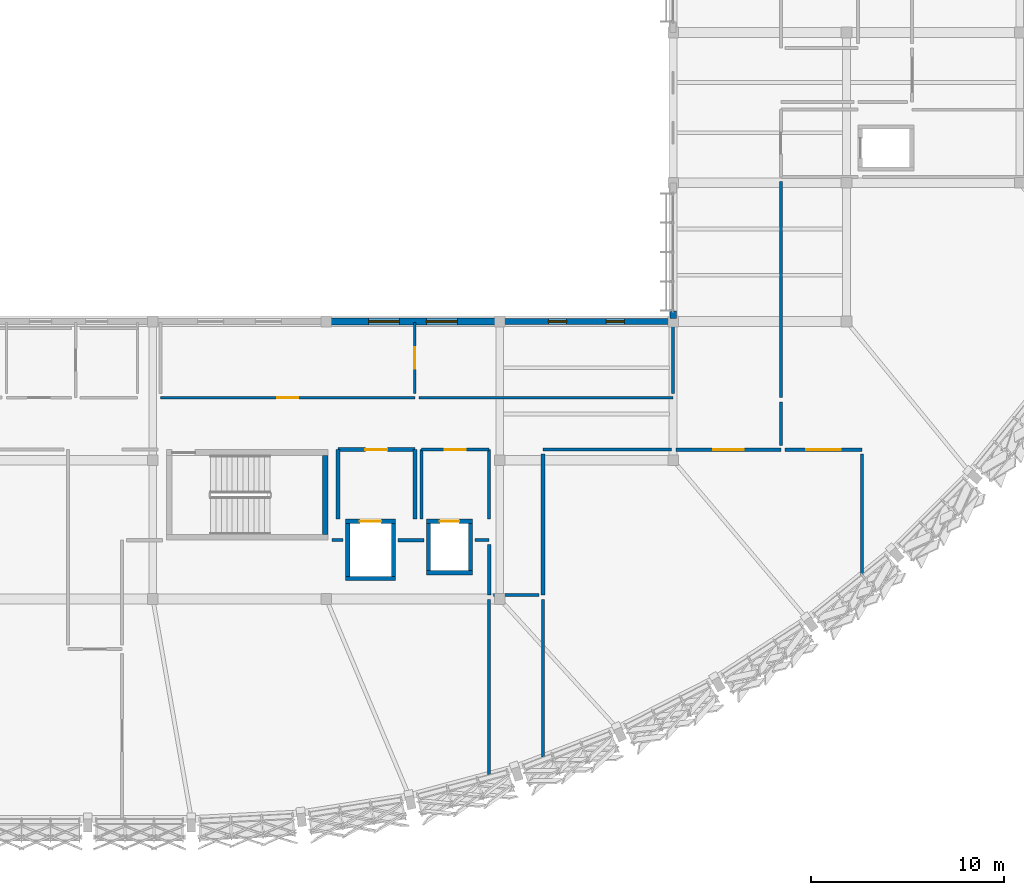
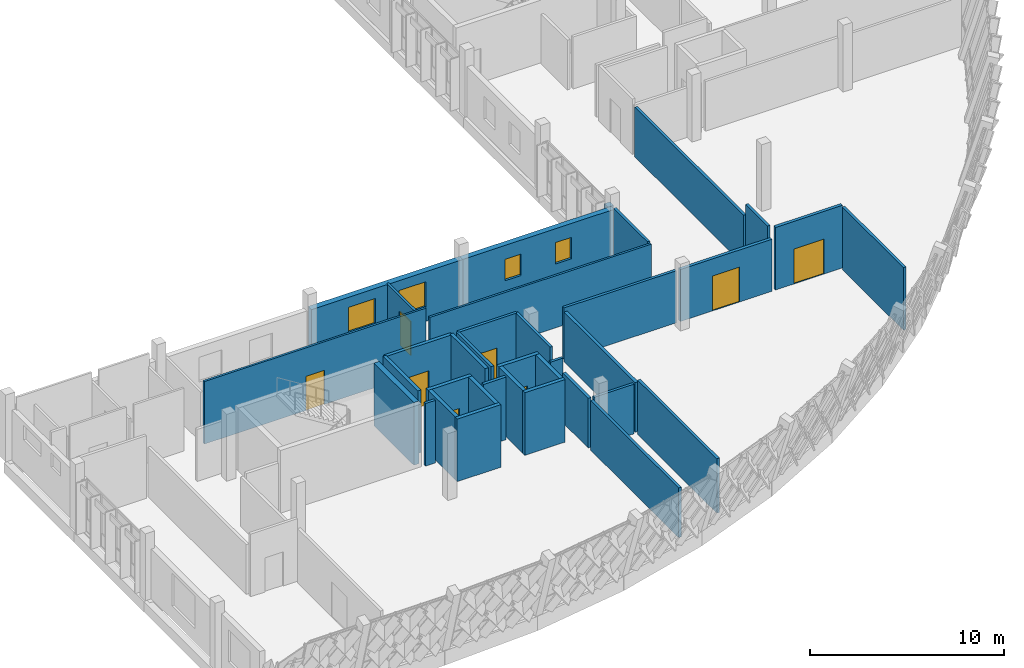
# One storey, part 87 of 94: 36 walls, 8 doors, 4 windows, 12 openings.
"""IFC4 building model written with IfcOpenShell, lengths in metres."""

from ifc_helpers import new_model, si_unit, direction, frame, frame_2d, origin, place, context, subcontext, project, spatial, rectangle, extrude, material, layer, layer_set, type_object, element, fill, save


model = new_model("IFC4")

# Units and contexts
model_context = context("Model", 3, precision=1e-05, world=origin(), true_north=direction((0.0, 1.0)))
body_context = subcontext(model_context, "Body", "Model", "MODEL_VIEW")
ifc_project = project(units=[si_unit("LENGTHUNIT", "METRE"), si_unit("AREAUNIT", "SQUARE_METRE"), si_unit("VOLUMEUNIT", "CUBIC_METRE"), si_unit("PLANEANGLEUNIT", "RADIAN"), si_unit("MASSUNIT", "GRAM", prefix="KILO")], contexts=[model_context])

# Site, building, storey
site_placement = place(None, origin())
site = spatial("IfcSite", under=ifc_project, at=site_placement, CompositionType="ELEMENT")
building_placement = place(site_placement, origin())
building = spatial("IfcBuilding", under=site, at=building_placement, Name="Chiffa Square Polytechnic", CompositionType="ELEMENT")
storey_placement = place(building_placement, frame((0.0, 0.0, 18.0)))
storey = spatial("IfcBuildingStorey", under=building, at=storey_placement, Name="L04", CompositionType="ELEMENT", Elevation=18.0)

# Wall
ifc_material_1 = material(Name="Concrete C40/50", Category="concrete")
ifc_layer_1 = layer(ifc_material_1, 0.300048828125, Name="Concrete C40/50")
ifc_layer_set_1 = layer_set([ifc_layer_1], Name="Concrete C40/50")
wall_type_1 = type_object("IfcWallType", Name="WL-CORE-300", PredefinedType="SHEAR", material=ifc_layer_set_1)
wall_1_placement = place(storey_placement, frame((130.14990234375, 17.75, 0.0), z_axis=(0.0, 0.0, 1.0), x_axis=(0.0, 1.0, 0.0)))
element("IfcWall", 1, at=wall_1_placement, inside=storey, type_object=wall_type_1, Name="Core or enclosure wall WC-CORE-V1A-L04-EAST", PredefinedType="SHEAR", context=body_context, shape_type="SweptSolid", body=[
    extrude(rectangle(XDim=4.10009765625, YDim=0.300048828125, at=frame_2d((2.050048828125, 0.0))), origin(), (0.0, 0.0, 1.0), 3.93994140625),
])

# Wall, openings, windows
ifc_material_2 = material(Name="Precast concrete C40/50", Category="concrete")
ifc_layer_2 = layer(ifc_material_2, 0.320068359375, Name="Precast concrete C40/50")
ifc_layer_set_2 = layer_set([ifc_layer_2], Name="Precast concrete C40/50")
wall_type_2 = type_object("IfcWallType", Name="WL-EXT-PC320", PredefinedType="SOLIDWALL", material=ifc_layer_set_2)
wall_2_placement = place(storey_placement, frame((148.199951171875, 28.800048828125, 0.0), z_axis=(0.0, 0.0, 1.0), x_axis=(-1.0, 0.0, 0.0)))
wall_2 = element("IfcWall", 2, at=wall_2_placement, inside=storey, type_object=wall_type_2, Name="Exterior wall WE-V1-L04-0064", PredefinedType="SOLIDWALL", context=body_context, shape_type="SweptSolid", body=[
    extrude(rectangle(XDim=9.0, YDim=0.320068359375, at=frame_2d((4.5, 0.0))), origin(), (0.0, 0.0, 1.0), 3.125),
])
opening_1_placement = place(wall_2_placement, frame((2.52490234375, 0.0, 0.89990234375)))
opening_1 = element("IfcOpeningElement", 3, at=opening_1_placement, cuts=wall_2, Name="Opening W-21", PredefinedType="OPENING", context=body_context, shape_type="SweptSolid", body=[
    extrude(rectangle(XDim=0.949951171875, YDim=1.35009765625, at=frame_2d((0.47509765625, 0.675048828125))), frame((0.0, 0.169921875, 0.0), z_axis=(0.0, -1.0, 0.0), x_axis=(1.0, 0.0, 0.0)), (0.0, 0.0, 1.0), 0.340087890625),
])
opening_2_placement = place(wall_2_placement, frame((5.52490234375, 0.0, 0.89990234375)))
opening_2 = element("IfcOpeningElement", 4, at=opening_2_placement, cuts=wall_2, Name="Opening W-21", PredefinedType="OPENING", context=body_context, shape_type="SweptSolid", body=[
    extrude(rectangle(XDim=0.949951171875, YDim=1.35009765625, at=frame_2d((0.47509765625, 0.675048828125))), frame((0.0, 0.169921875, 0.0), z_axis=(0.0, -1.0, 0.0), x_axis=(1.0, 0.0, 0.0)), (0.0, 0.0, 1.0), 0.340087890625),
])
ifc_material_3 = material(Name="Double glazing in thermally broken aluminium frame", Category="aluminium")
window_type_1 = type_object("IfcWindowType", Name="WIN-OFF-0950X1350", PartitioningType="DOUBLE_PANEL_VERTICAL", PredefinedType="WINDOW", material=ifc_material_3)
window_1_placement = place(opening_1_placement, origin())
window_1 = element("IfcWindow", 5, at=window_1_placement, inside=storey, type_object=window_type_1, Name="Facade window WN-L04-0062", OverallHeight=1.35009765625, OverallWidth=0.949951171875, PartitioningType="DOUBLE_PANEL_VERTICAL", PredefinedType="WINDOW", context=body_context, shape_type="SweptSolid", body=[
    extrude(rectangle(XDim=0.949951171875, YDim=1.35009765625, at=frame_2d((0.47509765625, 0.675048828125))), frame((0.0, 0.030029296875, 0.0), z_axis=(0.0, -1.0, 0.0), x_axis=(1.0, 0.0, 0.0)), (0.0, 0.0, 1.0), 0.06005859375),
])
fill(opening_1, window_1)
window_2_placement = place(opening_2_placement, origin())
window_2 = element("IfcWindow", 6, at=window_2_placement, inside=storey, type_object=window_type_1, Name="Facade window WN-L04-0063", OverallHeight=1.35009765625, OverallWidth=0.949951171875, PartitioningType="DOUBLE_PANEL_VERTICAL", PredefinedType="WINDOW", context=body_context, shape_type="SweptSolid", body=[
    extrude(rectangle(XDim=0.949951171875, YDim=1.35009765625, at=frame_2d((0.47509765625, 0.675048828125))), frame((0.0, 0.030029296875, 0.0), z_axis=(0.0, -1.0, 0.0), x_axis=(1.0, 0.0, 0.0)), (0.0, 0.0, 1.0), 0.06005859375),
])
fill(opening_2, window_2)

# Wall
ifc_layer_3 = layer(ifc_material_2, 0.340087890625, Name="Precast concrete C40/50")
ifc_layer_set_3 = layer_set([ifc_layer_3], Name="Precast concrete C40/50")
wall_type_3 = type_object("IfcWallType", Name="WL-EXT-PC340", PredefinedType="SOLIDWALL", material=ifc_layer_set_3)
wall_3_placement = place(storey_placement, frame((148.199951171875, 29.340087890625, 0.0), z_axis=(0.0, 0.0, 1.0), x_axis=(0.0, -1.0, 0.0)))
element("IfcWall", 7, at=wall_3_placement, inside=storey, type_object=wall_type_3, Name="Facade column pier V1-L04-0063R", PredefinedType="SOLIDWALL", context=body_context, shape_type="SweptSolid", body=[
    extrude(rectangle(XDim=0.378173828125, YDim=0.340087890625, at=frame_2d((0.18896484375, 0.0))), origin(), (0.0, 0.0, 1.0), 3.125),
])

# Wall, openings, windows
wall_4_placement = place(storey_placement, frame((139.199951171875, 28.800048828125, 0.0), z_axis=(0.0, 0.0, 1.0), x_axis=(-1.0, 0.0, 0.0)))
wall_4 = element("IfcWall", 8, at=wall_4_placement, inside=storey, type_object=wall_type_3, Name="Exterior wall WE-V1-L04-0065", PredefinedType="SOLIDWALL", context=body_context, shape_type="SweptSolid", body=[
    extrude(rectangle(XDim=9.0, YDim=0.340087890625, at=frame_2d((4.5, 0.0))), origin(), (0.0, 0.0, 1.0), 3.125),
])
opening_3_placement = place(wall_4_placement, frame((2.199951171875, 0.0, 0.89990234375)))
opening_3 = element("IfcOpeningElement", 9, at=opening_3_placement, cuts=wall_4, Name="Opening W-15", PredefinedType="OPENING", context=body_context, shape_type="SweptSolid", body=[
    extrude(rectangle(XDim=1.60009765625, YDim=1.60009765625, at=frame_2d((0.800048828125, 0.800048828125))), frame((0.0, 0.18017578125, 0.0), z_axis=(0.0, -1.0, 0.0), x_axis=(1.0, 0.0, 0.0)), (0.0, 0.0, 1.0), 0.360107421875),
])
opening_4_placement = place(wall_4_placement, frame((5.199951171875, 0.0, 0.89990234375)))
opening_4 = element("IfcOpeningElement", 10, at=opening_4_placement, cuts=wall_4, Name="Opening W-15", PredefinedType="OPENING", context=body_context, shape_type="SweptSolid", body=[
    extrude(rectangle(XDim=1.60009765625, YDim=1.60009765625, at=frame_2d((0.800048828125, 0.800048828125))), frame((0.0, 0.18017578125, 0.0), z_axis=(0.0, -1.0, 0.0), x_axis=(1.0, 0.0, 0.0)), (0.0, 0.0, 1.0), 0.360107421875),
])
window_type_2 = type_object("IfcWindowType", Name="WIN-OFF-1600X1600", PartitioningType="DOUBLE_PANEL_VERTICAL", PredefinedType="WINDOW", material=ifc_material_3)
window_3_placement = place(opening_3_placement, origin())
window_3 = element("IfcWindow", 11, at=window_3_placement, inside=storey, type_object=window_type_2, Name="Facade window WN-L04-0064", OverallHeight=1.60009765625, OverallWidth=1.60009765625, PartitioningType="DOUBLE_PANEL_VERTICAL", PredefinedType="WINDOW", context=body_context, shape_type="SweptSolid", body=[
    extrude(rectangle(XDim=1.60009765625, YDim=1.60009765625, at=frame_2d((0.800048828125, 0.800048828125))), frame((0.0, 0.030029296875, 0.0), z_axis=(0.0, -1.0, 0.0), x_axis=(1.0, 0.0, 0.0)), (0.0, 0.0, 1.0), 0.06005859375),
])
fill(opening_3, window_3)
window_4_placement = place(opening_4_placement, origin())
window_4 = element("IfcWindow", 12, at=window_4_placement, inside=storey, type_object=window_type_2, Name="Facade window WN-L04-0065", OverallHeight=1.60009765625, OverallWidth=1.60009765625, PartitioningType="DOUBLE_PANEL_VERTICAL", PredefinedType="WINDOW", context=body_context, shape_type="SweptSolid", body=[
    extrude(rectangle(XDim=1.60009765625, YDim=1.60009765625, at=frame_2d((0.800048828125, 0.800048828125))), frame((0.0, 0.030029296875, 0.0), z_axis=(0.0, -1.0, 0.0), x_axis=(1.0, 0.0, 0.0)), (0.0, 0.0, 1.0), 0.06005859375),
])
fill(opening_4, window_4)

# Wall, opening, door
ifc_material_4 = material(Name="Gypsum board on steel stud", Category="steel")
ifc_layer_4 = layer(ifc_material_4, 0.125, Name="Gypsum board on steel stud")
ifc_layer_set_4 = layer_set([ifc_layer_4], Name="Gypsum board on steel stud")
wall_type_4 = type_object("IfcWallType", Name="WL-PART-125", PredefinedType="PARTITIONING", material=ifc_layer_set_4)
wall_5_placement = place(storey_placement, frame((121.60009765625, 24.85009765625, 0.0), z_axis=(0.0, 0.0, 1.0), x_axis=(1.0, 0.0, 0.0)))
wall_5 = element("IfcWall", 13, at=wall_5_placement, inside=storey, type_object=wall_type_4, Name="Interior partition WP-V1-L04-0614", PredefinedType="PARTITIONING", context=body_context, shape_type="SweptSolid", body=[
    extrude(rectangle(XDim=13.199951171875, YDim=0.125, at=frame_2d((6.60009765625, 0.0))), origin(), (0.0, 0.0, 1.0), 3.93994140625),
])
opening_5_placement = place(wall_5_placement, frame((6.050048828125, 0.0, 0.0)))
opening_5 = element("IfcOpeningElement", 14, at=opening_5_placement, cuts=wall_5, Name="Opening DI-L04-218", PredefinedType="OPENING", context=body_context, shape_type="SweptSolid", body=[
    extrude(rectangle(XDim=1.10009765625, YDim=2.14990234375, at=frame_2d((0.550048828125, 1.074951171875))), frame((0.0, 0.072509765625, 0.0), z_axis=(0.0, -1.0, 0.0), x_axis=(1.0, 0.0, 0.0)), (0.0, 0.0, 1.0), 0.14501953125),
])
ifc_material_5 = material(Name="Solid core ash veneer door")
door_type_1 = type_object("IfcDoorType", Name="DR-INT-1100", OperationType="NOTDEFINED", PredefinedType="DOOR", material=ifc_material_5)
door_1_placement = place(opening_5_placement, origin())
door_1 = element("IfcDoor", 15, at=door_1_placement, inside=storey, type_object=door_type_1, Name="Interior room door DI-L04-218", OperationType="SINGLE_SWING_LEFT", OverallHeight=2.14990234375, OverallWidth=1.10009765625, PredefinedType="DOOR", context=body_context, shape_type="SweptSolid", body=[
    extrude(rectangle(XDim=1.10009765625, YDim=2.14990234375, at=frame_2d((0.550048828125, 1.074951171875))), frame((0.0, 0.02490234375, 0.0), z_axis=(0.0, -1.0, 0.0), x_axis=(1.0, 0.0, 0.0)), (0.0, 0.0, 1.0), 0.050048828125),
])
fill(opening_5, door_1)

# Wall
wall_6_placement = place(storey_placement, frame((135.02001953125, 24.85009765625, 0.0), z_axis=(0.0, 0.0, 1.0), x_axis=(1.0, 0.0, 0.0)))
element("IfcWall", 16, at=wall_6_placement, inside=storey, type_object=wall_type_4, Name="Interior partition WP-V1-L04-0617", PredefinedType="PARTITIONING", context=body_context, shape_type="SweptSolid", body=[
    extrude(rectangle(XDim=13.179931640625, YDim=0.125, at=frame_2d((6.58984375, 0.0))), origin(), (0.0, 0.0, 1.0), 3.27490234375),
])

# Wall, opening, door
ifc_layer_5 = layer(ifc_material_4, 0.135009765625, Name="Gypsum board on steel stud")
ifc_layer_set_5 = layer_set([ifc_layer_5], Name="Gypsum board on steel stud")
wall_type_5 = type_object("IfcWallType", Name="WL-PART-135", PredefinedType="PARTITIONING", material=ifc_layer_set_5)
wall_7_placement = place(storey_placement, frame((134.800048828125, 25.070068359375, 0.0), z_axis=(0.0, 0.0, 1.0), x_axis=(0.0, 1.0, 0.0)))
wall_7 = element("IfcWall", 17, at=wall_7_placement, inside=storey, type_object=wall_type_5, Name="Interior partition WP-V1-L04-0616", PredefinedType="PARTITIONING", context=body_context, shape_type="SweptSolid", body=[
    extrude(rectangle(XDim=3.675048828125, YDim=0.135009765625, at=frame_2d((1.83740234375, 0.0))), origin(), (0.0, 0.0, 1.0), 3.125),
])
opening_6_placement = place(wall_7_placement, frame((1.2880859375, 0.0, 0.0)))
opening_6 = element("IfcOpeningElement", 18, at=opening_6_placement, cuts=wall_7, Name="Opening DI-L04-219", PredefinedType="OPENING", context=body_context, shape_type="SweptSolid", body=[
    extrude(rectangle(XDim=1.10009765625, YDim=2.14990234375, at=frame_2d((0.550048828125, 1.074951171875))), frame((0.0, 0.07763671875, 0.0), z_axis=(0.0, -1.0, 0.0), x_axis=(1.0, 0.0, 0.0)), (0.0, 0.0, 1.0), 0.155029296875),
])
door_2_placement = place(opening_6_placement, origin())
door_2 = element("IfcDoor", 19, at=door_2_placement, inside=storey, type_object=door_type_1, Name="Interior room door DI-L04-219", OperationType="SINGLE_SWING_RIGHT", OverallHeight=2.14990234375, OverallWidth=1.10009765625, PredefinedType="DOOR", context=body_context, shape_type="SweptSolid", body=[
    extrude(rectangle(XDim=1.10009765625, YDim=2.14990234375, at=frame_2d((0.550048828125, 1.074951171875))), frame((0.0, 0.02490234375, 0.0), z_axis=(0.0, -1.0, 0.0), x_axis=(1.0, 0.0, 0.0)), (0.0, 0.0, 1.0), 0.050048828125),
])
fill(opening_6, door_2)

# Wall
ifc_layer_6 = layer(ifc_material_4, 0.14501953125, Name="Gypsum board on steel stud")
ifc_layer_set_6 = layer_set([ifc_layer_6], Name="Gypsum board on steel stud")
wall_type_6 = type_object("IfcWallType", Name="WL-PART-145", PredefinedType="PARTITIONING", material=ifc_layer_set_6)
wall_8_placement = place(storey_placement, frame((148.199951171875, 25.070068359375, 0.0), z_axis=(0.0, 0.0, 1.0), x_axis=(0.0, 1.0, 0.0)))
element("IfcWall", 20, at=wall_8_placement, inside=storey, type_object=wall_type_6, Name="Interior partition WP-V1-L04-0618", PredefinedType="PARTITIONING", context=body_context, shape_type="SweptSolid", body=[
    extrude(rectangle(XDim=3.489990234375, YDim=0.14501953125, at=frame_2d((1.7451171875, 0.0))), origin(), (0.0, 0.0, 1.0), 3.27490234375),
])

# Wall, opening, door
ifc_material_6 = material(Name="Autoclaved aerated concrete blockwork", Category="masonry")
ifc_layer_7 = layer(ifc_material_6, 0.199951171875, Name="Autoclaved aerated concrete blockwork")
ifc_layer_set_7 = layer_set([ifc_layer_7], Name="Autoclaved aerated concrete blockwork")
wall_type_7 = type_object("IfcWallType", Name="WL-PART-EI120-200", PredefinedType="PARTITIONING", material=ifc_layer_set_7)
wall_9_placement = place(storey_placement, frame((130.800048828125, 22.14990234375, 0.0), z_axis=(0.0, 0.0, 1.0), x_axis=(1.0, 0.0, 0.0)))
wall_9 = element("IfcWall", 21, at=wall_9_placement, inside=storey, type_object=wall_type_7, Name="Lift lobby rated enclosure WP-LOB-LF-V1-L04-NORTH", PredefinedType="PARTITIONING", context=body_context, shape_type="SweptSolid", body=[
    extrude(rectangle(XDim=4.0, YDim=0.199951171875, at=frame_2d((2.0, 0.0))), origin(), (0.0, 0.0, 1.0), 3.93994140625),
])
opening_7_placement = place(wall_9_placement, frame((1.425048828125, 0.0, 0.0)))
opening_7 = element("IfcOpeningElement", 22, at=opening_7_placement, cuts=wall_9, Name="Opening DI-L04-006", PredefinedType="OPENING", context=body_context, shape_type="SweptSolid", body=[
    extrude(rectangle(XDim=1.14990234375, YDim=2.14990234375, at=frame_2d((0.574951171875, 1.074951171875))), frame((0.0, 0.10986328125, 0.0), z_axis=(0.0, -1.0, 0.0), x_axis=(1.0, 0.0, 0.0)), (0.0, 0.0, 1.0), 0.219970703125),
])
ifc_material_7 = material(Name="Fire-rated steel door leaf", Category="steel")
door_type_2 = type_object("IfcDoorType", Name="DR-LOBBY-FD120", OperationType="NOTDEFINED", PredefinedType="DOOR", material=ifc_material_7)
door_3_placement = place(opening_7_placement, origin())
door_3 = element("IfcDoor", 23, at=door_3_placement, inside=storey, type_object=door_type_2, Name="Lift lobby fire door DI-L04-006", OperationType="SINGLE_SWING_LEFT", OverallHeight=2.14990234375, OverallWidth=1.14990234375, PredefinedType="DOOR", context=body_context, shape_type="SweptSolid", body=[
    extrude(rectangle(XDim=1.14990234375, YDim=2.14990234375, at=frame_2d((0.574951171875, 1.074951171875))), frame((0.0, 0.02490234375, 0.0), z_axis=(0.0, -1.0, 0.0), x_axis=(1.0, 0.0, 0.0)), (0.0, 0.0, 1.0), 0.050048828125),
])
fill(opening_7, door_3)

# Walls
for number, where, z_axis, x_axis, name in (
    (24, (130.800048828125, 18.550048828125, 0.0), (0.0, 0.0, 1.0), (0.0, 1.0, 0.0), "Lift lobby rated enclosure WP-LOB-LF-V1-L04-WEST"),
    (25, (134.800048828125, 18.550048828125, 0.0), (0.0, 0.0, 1.0), (0.0, 1.0, 0.0), "Lift lobby rated enclosure WP-LOB-LF-V1-L04-EAST"),
):
    element("IfcWall", number, at=place(storey_placement, frame(where, z_axis=z_axis, x_axis=x_axis)), inside=storey, type_object=wall_type_7, Name=name, PredefinedType="PARTITIONING", context=body_context, shape_type="SweptSolid", body=[
        extrude(rectangle(XDim=3.599853515625, YDim=0.199951171875, at=frame_2d((1.7998046875, 0.0))), origin(), (0.0, 0.0, 1.0), 3.93994140625),
    ])

# Wall, opening, door
ifc_material_8 = material(Name="Gypsum board on acoustic steel stud", Category="steel")
ifc_layer_8 = layer(ifc_material_8, 0.159912109375, Name="Gypsum board on acoustic steel stud")
ifc_layer_set_8 = layer_set([ifc_layer_8], Name="Gypsum board on acoustic steel stud")
wall_type_8 = type_object("IfcWallType", Name="WL-PART-EI60-160", PredefinedType="PARTITIONING", material=ifc_layer_set_8)
wall_10_placement = place(storey_placement, frame((135.14990234375, 22.14990234375, 0.0), z_axis=(0.0, 0.0, 1.0), x_axis=(1.0, 0.0, 0.0)))
wall_10 = element("IfcWall", 26, at=wall_10_placement, inside=storey, type_object=wall_type_8, Name="Lift lobby rated enclosure WP-LOB-LP-V1A-L04-NORTH", PredefinedType="PARTITIONING", context=body_context, shape_type="SweptSolid", body=[
    extrude(rectangle(XDim=3.5, YDim=0.159912109375, at=frame_2d((1.75, 0.0))), origin(), (0.0, 0.0, 1.0), 3.93994140625),
])
opening_8_placement = place(wall_10_placement, frame((1.199951171875, 0.0, 0.0)))
opening_8 = element("IfcOpeningElement", 27, at=opening_8_placement, cuts=wall_10, Name="Opening DI-L04-014", PredefinedType="OPENING", context=body_context, shape_type="SweptSolid", body=[
    extrude(rectangle(XDim=1.10009765625, YDim=2.14990234375, at=frame_2d((0.550048828125, 1.074951171875))), frame((0.0, 0.08984375, 0.0), z_axis=(0.0, -1.0, 0.0), x_axis=(1.0, 0.0, 0.0)), (0.0, 0.0, 1.0), 0.179931640625),
])
door_4_placement = place(opening_8_placement, origin())
door_4 = element("IfcDoor", 28, at=door_4_placement, inside=storey, type_object=door_type_1, Name="Lift lobby fire door DI-L04-014", OperationType="SINGLE_SWING_LEFT", OverallHeight=2.14990234375, OverallWidth=1.10009765625, PredefinedType="DOOR", context=body_context, shape_type="SweptSolid", body=[
    extrude(rectangle(XDim=1.10009765625, YDim=2.14990234375, at=frame_2d((0.550048828125, 1.074951171875))), frame((0.0, 0.02490234375, 0.0), z_axis=(0.0, -1.0, 0.0), x_axis=(1.0, 0.0, 0.0)), (0.0, 0.0, 1.0), 0.050048828125),
])
fill(opening_8, door_4)

# Walls
for number, where, z_axis, x_axis, name in (
    (29, (135.14990234375, 18.550048828125, 0.0), (0.0, 0.0, 1.0), (0.0, 1.0, 0.0), "Lift lobby rated enclosure WP-LOB-LP-V1A-L04-WEST"),
    (30, (138.64990234375, 18.550048828125, 0.0), (0.0, 0.0, 1.0), (0.0, 1.0, 0.0), "Lift lobby rated enclosure WP-LOB-LP-V1A-L04-EAST"),
):
    element("IfcWall", number, at=place(storey_placement, frame(where, z_axis=z_axis, x_axis=x_axis)), inside=storey, type_object=wall_type_8, Name=name, PredefinedType="PARTITIONING", context=body_context, shape_type="SweptSolid", body=[
        extrude(rectangle(XDim=3.599853515625, YDim=0.159912109375, at=frame_2d((1.7998046875, 0.0))), origin(), (0.0, 0.0, 1.0), 3.93994140625),
    ])
wall_11_placement = place(storey_placement, frame((141.449951171875, 22.14990234375, 0.0), z_axis=(0.0, 0.0, 1.0), x_axis=(1.0, 0.0, 0.0)))
element("IfcWall", 31, at=wall_11_placement, inside=storey, type_object=wall_type_8, Name="Interior partition WP-V1-L04-0635", PredefinedType="PARTITIONING", context=body_context, shape_type="SweptSolid", body=[
    extrude(rectangle(XDim=6.679931640625, YDim=0.159912109375, at=frame_2d((3.33984375, 0.0))), origin(), (0.0, 0.0, 1.0), 3.27490234375),
])
wall_12_placement = place(storey_placement, frame((141.449951171875, 6.201904296875, 0.0), z_axis=(0.0, 0.0, 1.0), x_axis=(0.0, 1.0, 0.0)))
element("IfcWall", 32, at=wall_12_placement, inside=storey, type_object=wall_type_8, Name="Interior partition WP-V1-L04-0637", PredefinedType="PARTITIONING", context=body_context, shape_type="SweptSolid", body=[
    extrude(rectangle(XDim=8.177978515625, YDim=0.159912109375, at=frame_2d((4.0888671875, 0.0))), origin(), (0.0, 0.0, 1.0), 3.425048828125),
])
wall_13_placement = place(storey_placement, frame((158.0, 15.64111328125, 0.0), z_axis=(0.0, 0.0, 1.0), x_axis=(0.0, 1.0, 0.0)))
element("IfcWall", 33, at=wall_13_placement, inside=storey, type_object=wall_type_8, Name="Interior partition WP-V1-L04-0639", PredefinedType="PARTITIONING", context=body_context, shape_type="SweptSolid", body=[
    extrude(rectangle(XDim=6.288818359375, YDim=0.159912109375, at=frame_2d((3.14453125, 0.0))), origin(), (0.0, 0.0, 1.0), 3.93994140625),
])
wall_14_placement = place(storey_placement, frame((153.800048828125, 24.85009765625, 0.0), z_axis=(0.0, 0.0, 1.0), x_axis=(0.0, 1.0, 0.0)))
element("IfcWall", 34, at=wall_14_placement, inside=storey, type_object=wall_type_8, Name="Interior partition WP-V1-L04-0640", PredefinedType="PARTITIONING", context=body_context, shape_type="SweptSolid", body=[
    extrude(rectangle(XDim=11.2099609375, YDim=0.159912109375, at=frame_2d((5.60498046875, 0.0))), origin(), (0.0, 0.0, 1.0), 3.125),
])
wall_15_placement = place(storey_placement, frame((153.800048828125, 22.3701171875, 0.0), z_axis=(0.0, 0.0, 1.0), x_axis=(0.0, 1.0, 0.0)))
element("IfcWall", 35, at=wall_15_placement, inside=storey, type_object=wall_type_8, Name="Interior partition WP-V1-L04-0641", PredefinedType="PARTITIONING", context=body_context, shape_type="SweptSolid", body=[
    extrude(rectangle(XDim=2.259765625, YDim=0.159912109375, at=frame_2d((1.1298828125, 0.0))), origin(), (0.0, 0.0, 1.0), 3.93994140625),
])
wall_16_placement = place(storey_placement, frame((130.487060546875, 17.449951171875, 0.0), z_axis=(0.0, 0.0, 1.0), x_axis=(1.0, 0.0, 0.0)))
element("IfcWall", 36, at=wall_16_placement, inside=storey, type_object=wall_type_8, Name="Interior partition WP-V1-L04-0645", PredefinedType="PARTITIONING", context=body_context, shape_type="SweptSolid", body=[
    extrude(rectangle(XDim=0.5830078125, YDim=0.159912109375, at=frame_2d((0.29150390625, 0.0))), origin(), (0.0, 0.0, 1.0), 3.93994140625),
])
wall_17_placement = place(storey_placement, frame((137.929931640625, 17.449951171875, 0.0), z_axis=(0.0, 0.0, 1.0), x_axis=(1.0, 0.0, 0.0)))
element("IfcWall", 37, at=wall_17_placement, inside=storey, type_object=wall_type_8, Name="Interior partition WP-V1-L04-0647", PredefinedType="PARTITIONING", context=body_context, shape_type="SweptSolid", body=[
    extrude(rectangle(XDim=0.719970703125, YDim=0.159912109375, at=frame_2d((0.35986328125, 0.0))), origin(), (0.0, 0.0, 1.0), 3.93994140625),
])
wall_18_placement = place(storey_placement, frame((138.64990234375, 5.2880859375, 0.0), z_axis=(0.0, 0.0, 1.0), x_axis=(0.0, 1.0, 0.0)))
element("IfcWall", 38, at=wall_18_placement, inside=storey, type_object=wall_type_8, Name="Interior partition WP-V1-L04-0649", PredefinedType="PARTITIONING", context=body_context, shape_type="SweptSolid", body=[
    extrude(rectangle(XDim=9.091796875, YDim=0.159912109375, at=frame_2d((4.5458984375, 0.0))), origin(), (0.0, 0.0, 1.0), 3.125),
])
wall_19_placement = place(storey_placement, frame((138.8701171875, 14.60009765625, 0.0), z_axis=(0.0, 0.0, 1.0), x_axis=(1.0, 0.0, 0.0)))
element("IfcWall", 39, at=wall_19_placement, inside=storey, type_object=wall_type_8, Name="Interior partition WP-V1-L04-0665", PredefinedType="PARTITIONING", context=body_context, shape_type="SweptSolid", body=[
    extrude(rectangle(XDim=2.35986328125, YDim=0.159912109375, at=frame_2d((1.179931640625, 0.0))), origin(), (0.0, 0.0, 1.0), 3.125),
])

# Wall, opening, door
ifc_material_9 = material(Name="Gypsum board on twin steel stud", Category="steel")
ifc_layer_9 = layer(ifc_material_9, 0.18505859375, Name="Gypsum board on twin steel stud")
ifc_layer_set_9 = layer_set([ifc_layer_9], Name="Gypsum board on twin steel stud")
wall_type_9 = type_object("IfcWallType", Name="WL-PART-EI90-185", PredefinedType="PARTITIONING", material=ifc_layer_set_9)
wall_20_placement = place(storey_placement, frame((148.35009765625, 22.14990234375, 0.0), z_axis=(0.0, 0.0, 1.0), x_axis=(1.0, 0.0, 0.0)))
wall_20 = element("IfcWall", 40, at=wall_20_placement, inside=storey, type_object=wall_type_9, Name="Interior partition WP-V1-L04-0634", PredefinedType="PARTITIONING", context=body_context, shape_type="SweptSolid", body=[
    extrude(rectangle(XDim=5.449951171875, YDim=0.18505859375, at=frame_2d((2.72509765625, 0.0))), origin(), (0.0, 0.0, 1.0), 3.27490234375),
])
opening_9_placement = place(wall_20_placement, frame((1.925048828125, 0.0, 0.0)))
opening_9 = element("IfcOpeningElement", 41, at=opening_9_placement, cuts=wall_20, Name="Opening DI-L04-226", PredefinedType="OPENING", context=body_context, shape_type="SweptSolid", body=[
    extrude(rectangle(XDim=1.60009765625, YDim=2.199951171875, at=frame_2d((0.800048828125, 1.10009765625))), frame((0.0, 0.1025390625, 0.0), z_axis=(0.0, -1.0, 0.0), x_axis=(1.0, 0.0, 0.0)), (0.0, 0.0, 1.0), 0.205078125),
])
ifc_material_10 = material(Name="Vision-panel timber laboratory door", Category="wood")
door_type_3 = type_object("IfcDoorType", Name="DR-LAB-DBL-1600", OperationType="DOUBLE_DOOR_SINGLE_SWING", PredefinedType="DOOR", material=ifc_material_10)
door_5_placement = place(opening_9_placement, origin())
door_5 = element("IfcDoor", 42, at=door_5_placement, inside=storey, type_object=door_type_3, Name="Interior room door DI-L04-226", OperationType="DOUBLE_DOOR_SINGLE_SWING", OverallHeight=2.199951171875, OverallWidth=1.60009765625, PredefinedType="DOOR", context=body_context, shape_type="SweptSolid", body=[
    extrude(rectangle(XDim=1.60009765625, YDim=2.199951171875, at=frame_2d((0.800048828125, 1.10009765625))), frame((0.0, 0.02490234375, 0.0), z_axis=(0.0, -1.0, 0.0), x_axis=(1.0, 0.0, 0.0)), (0.0, 0.0, 1.0), 0.050048828125),
])
fill(opening_9, door_5)

# Wall
wall_21_placement = place(storey_placement, frame((141.449951171875, 14.60009765625, 0.0), z_axis=(0.0, 0.0, 1.0), x_axis=(0.0, 1.0, 0.0)))
element("IfcWall", 43, at=wall_21_placement, inside=storey, type_object=wall_type_9, Name="Interior partition WP-V1-L04-0636", PredefinedType="PARTITIONING", context=body_context, shape_type="SweptSolid", body=[
    extrude(rectangle(XDim=7.329833984375, YDim=0.18505859375, at=frame_2d((3.6650390625, 0.0))), origin(), (0.0, 0.0, 1.0), 3.125),
])

# Wall, opening, door
wall_22_placement = place(storey_placement, frame((154.02001953125, 22.14990234375, 0.0), z_axis=(0.0, 0.0, 1.0), x_axis=(1.0, 0.0, 0.0)))
wall_22 = element("IfcWall", 44, at=wall_22_placement, inside=storey, type_object=wall_type_9, Name="Interior partition WP-V1-L04-0638", PredefinedType="PARTITIONING", context=body_context, shape_type="SweptSolid", body=[
    extrude(rectangle(XDim=3.97998046875, YDim=0.18505859375, at=frame_2d((1.989990234375, 0.0))), origin(), (0.0, 0.0, 1.0), 3.93994140625),
])
opening_10_placement = place(wall_22_placement, frame((1.090087890625, 0.0, 0.0)))
opening_10 = element("IfcOpeningElement", 45, at=opening_10_placement, cuts=wall_22, Name="Opening DI-L04-227", PredefinedType="OPENING", context=body_context, shape_type="SweptSolid", body=[
    extrude(rectangle(XDim=1.800048828125, YDim=2.199951171875, at=frame_2d((0.89990234375, 1.10009765625))), frame((0.0, 0.1025390625, 0.0), z_axis=(0.0, -1.0, 0.0), x_axis=(1.0, 0.0, 0.0)), (0.0, 0.0, 1.0), 0.205078125),
])
ifc_material_11 = material(Name="Solid oak fire door pair")
door_type_4 = type_object("IfcDoorType", Name="DR-CORR-DBL-1800", OperationType="DOUBLE_DOOR_SINGLE_SWING", PredefinedType="DOOR", material=ifc_material_11)
door_6_placement = place(opening_10_placement, origin())
door_6 = element("IfcDoor", 46, at=door_6_placement, inside=storey, type_object=door_type_4, Name="Interior room door DI-L04-227", OperationType="DOUBLE_DOOR_SINGLE_SWING", OverallHeight=2.199951171875, OverallWidth=1.800048828125, PredefinedType="DOOR", context=body_context, shape_type="SweptSolid", body=[
    extrude(rectangle(XDim=1.800048828125, YDim=2.199951171875, at=frame_2d((0.89990234375, 1.10009765625))), frame((0.0, 0.02490234375, 0.0), z_axis=(0.0, -1.0, 0.0), x_axis=(1.0, 0.0, 0.0)), (0.0, 0.0, 1.0), 0.050048828125),
])
fill(opening_10, door_6)

# Walls
wall_23_placement = place(storey_placement, frame((133.929931640625, 17.449951171875, 0.0), z_axis=(0.0, 0.0, 1.0), x_axis=(1.0, 0.0, 0.0)))
element("IfcWall", 47, at=wall_23_placement, inside=storey, type_object=wall_type_9, Name="Interior partition WP-V1-L04-0646", PredefinedType="PARTITIONING", context=body_context, shape_type="SweptSolid", body=[
    extrude(rectangle(XDim=1.340087890625, YDim=0.18505859375, at=frame_2d((0.669921875, 0.0))), origin(), (0.0, 0.0, 1.0), 3.93994140625),
])
wall_24_placement = place(storey_placement, frame((138.64990234375, 14.60009765625, 0.0), z_axis=(0.0, 0.0, 1.0), x_axis=(0.0, 1.0, 0.0)))
element("IfcWall", 48, at=wall_24_placement, inside=storey, type_object=wall_type_9, Name="Interior partition WP-V1-L04-0648", PredefinedType="PARTITIONING", context=body_context, shape_type="SweptSolid", body=[
    extrude(rectangle(XDim=2.6298828125, YDim=0.18505859375, at=frame_2d((1.31494140625, 0.0))), origin(), (0.0, 0.0, 1.0), 3.125),
])
ifc_material_12 = material(Name="Concrete C35/45", Category="concrete")
ifc_layer_10 = layer(ifc_material_12, 0.219970703125, Name="Concrete C35/45")
ifc_layer_set_10 = layer_set([ifc_layer_10], Name="Concrete C35/45")
wall_type_10 = type_object("IfcWallType", Name="WL-SHAFT-220", PredefinedType="SHEAR", material=ifc_layer_set_10)
wall_25_placement = place(storey_placement, frame((131.199951171875, 15.4599609375, 0.0), z_axis=(0.0, 0.0, 1.0), x_axis=(1.0, 0.0, 0.0)))
element("IfcWall", 49, at=wall_25_placement, inside=storey, type_object=wall_type_10, Name="Core or enclosure wall WS-LF-V1-L04-SOUTH", PredefinedType="SHEAR", context=body_context, shape_type="SweptSolid", body=[
    extrude(rectangle(XDim=2.60009765625, YDim=0.219970703125, at=frame_2d((1.300048828125, 0.0))), origin(), (0.0, 0.0, 1.0), 3.93994140625),
])

# Wall, opening, door
wall_26_placement = place(storey_placement, frame((131.199951171875, 18.43994140625, 0.0), z_axis=(0.0, 0.0, 1.0), x_axis=(1.0, 0.0, 0.0)))
wall_26 = element("IfcWall", 50, at=wall_26_placement, inside=storey, type_object=wall_type_10, Name="Core or enclosure wall WS-LF-V1-L04-NORTH", PredefinedType="SHEAR", context=body_context, shape_type="SweptSolid", body=[
    extrude(rectangle(XDim=2.60009765625, YDim=0.219970703125, at=frame_2d((1.300048828125, 0.0))), origin(), (0.0, 0.0, 1.0), 3.93994140625),
])
opening_11_placement = place(wall_26_placement, frame((0.75, 0.0, 0.0)))
opening_11 = element("IfcOpeningElement", 51, at=opening_11_placement, cuts=wall_26, Name="Opening LD-LF-V1-L04", PredefinedType="OPENING", context=body_context, shape_type="SweptSolid", body=[
    extrude(rectangle(XDim=1.10009765625, YDim=2.14990234375, at=frame_2d((0.550048828125, 1.074951171875))), frame((0.0, 0.1201171875, 0.0), z_axis=(0.0, -1.0, 0.0), x_axis=(1.0, 0.0, 0.0)), (0.0, 0.0, 1.0), 0.239990234375),
])
ifc_material_13 = material(Name="Brushed stainless steel sliding landing door", Category="steel")
door_type_5 = type_object("IfcDoorType", Name="DR-LIFT-1100", OperationType="SLIDING_TO_LEFT", PredefinedType="DOOR", material=ifc_material_13)
door_7_placement = place(opening_11_placement, origin())
door_7 = element("IfcDoor", 52, at=door_7_placement, inside=storey, type_object=door_type_5, Name="Enclosure door LD-LF-V1-L04", OperationType="SLIDING_TO_LEFT", OverallHeight=2.14990234375, OverallWidth=1.10009765625, PredefinedType="DOOR", context=body_context, shape_type="SweptSolid", body=[
    extrude(rectangle(XDim=1.10009765625, YDim=2.14990234375, at=frame_2d((0.550048828125, 1.074951171875))), frame((0.0, 0.02490234375, 0.0), z_axis=(0.0, -1.0, 0.0), x_axis=(1.0, 0.0, 0.0)), (0.0, 0.0, 1.0), 0.050048828125),
])
fill(opening_11, door_7)

# Walls
for number, where, z_axis, x_axis, name in (
    (53, (131.31005859375, 15.570068359375, 0.0), (0.0, 0.0, 1.0), (0.0, 1.0, 0.0), "Core or enclosure wall WS-LF-V1-L04-WEST"),
    (54, (133.68994140625, 15.570068359375, 0.0), (0.0, 0.0, 1.0), (0.0, 1.0, 0.0), "Core or enclosure wall WS-LF-V1-L04-EAST"),
):
    element("IfcWall", number, at=place(storey_placement, frame(where, z_axis=z_axis, x_axis=x_axis)), inside=storey, type_object=wall_type_10, Name=name, PredefinedType="SHEAR", context=body_context, shape_type="SweptSolid", body=[
        extrude(rectangle(XDim=2.760009765625, YDim=0.219970703125, at=frame_2d((1.3798828125, 0.0))), origin(), (0.0, 0.0, 1.0), 3.93994140625),
    ])
wall_27_placement = place(storey_placement, frame((135.39990234375, 15.760009765625, 0.0), z_axis=(0.0, 0.0, 1.0), x_axis=(1.0, 0.0, 0.0)))
element("IfcWall", 55, at=wall_27_placement, inside=storey, type_object=wall_type_10, Name="Core or enclosure wall WS-LP-V1A-L04-SOUTH", PredefinedType="SHEAR", context=body_context, shape_type="SweptSolid", body=[
    extrude(rectangle(XDim=2.400146484375, YDim=0.219970703125, at=frame_2d((1.2001953125, 0.0))), origin(), (0.0, 0.0, 1.0), 3.93994140625),
])

# Wall, opening, door
wall_28_placement = place(storey_placement, frame((135.39990234375, 18.43994140625, 0.0), z_axis=(0.0, 0.0, 1.0), x_axis=(1.0, 0.0, 0.0)))
wall_28 = element("IfcWall", 56, at=wall_28_placement, inside=storey, type_object=wall_type_10, Name="Core or enclosure wall WS-LP-V1A-L04-NORTH", PredefinedType="SHEAR", context=body_context, shape_type="SweptSolid", body=[
    extrude(rectangle(XDim=2.400146484375, YDim=0.219970703125, at=frame_2d((1.2001953125, 0.0))), origin(), (0.0, 0.0, 1.0), 3.93994140625),
])
opening_12_placement = place(wall_28_placement, frame((0.699951171875, 0.0, 0.0)))
opening_12 = element("IfcOpeningElement", 57, at=opening_12_placement, cuts=wall_28, Name="Opening LD-LP-V1A-L04", PredefinedType="OPENING", context=body_context, shape_type="SweptSolid", body=[
    extrude(rectangle(XDim=1.0, YDim=2.14990234375, at=frame_2d((0.5, 1.074951171875))), frame((0.0, 0.1201171875, 0.0), z_axis=(0.0, -1.0, 0.0), x_axis=(1.0, 0.0, 0.0)), (0.0, 0.0, 1.0), 0.239990234375),
])
door_type_6 = type_object("IfcDoorType", Name="DR-LIFT-1000", OperationType="SLIDING_TO_RIGHT", PredefinedType="DOOR", material=ifc_material_13)
door_8_placement = place(opening_12_placement, origin())
door_8 = element("IfcDoor", 58, at=door_8_placement, inside=storey, type_object=door_type_6, Name="Enclosure door LD-LP-V1A-L04", OperationType="SLIDING_TO_RIGHT", OverallHeight=2.14990234375, OverallWidth=1.0, PredefinedType="DOOR", context=body_context, shape_type="SweptSolid", body=[
    extrude(rectangle(XDim=1.0, YDim=2.14990234375, at=frame_2d((0.5, 1.074951171875))), frame((0.0, 0.02490234375, 0.0), z_axis=(0.0, -1.0, 0.0), x_axis=(1.0, 0.0, 0.0)), (0.0, 0.0, 1.0), 0.050048828125),
])
fill(opening_12, door_8)

# Walls
for number, where, z_axis, x_axis, name in (
    (59, (135.510009765625, 15.8701171875, 0.0), (0.0, 0.0, 1.0), (0.0, 1.0, 0.0), "Core or enclosure wall WS-LP-V1A-L04-WEST"),
    (60, (137.68994140625, 15.8701171875, 0.0), (0.0, 0.0, 1.0), (0.0, 1.0, 0.0), "Core or enclosure wall WS-LP-V1A-L04-EAST"),
):
    element("IfcWall", number, at=place(storey_placement, frame(where, z_axis=z_axis, x_axis=x_axis)), inside=storey, type_object=wall_type_10, Name=name, PredefinedType="SHEAR", context=body_context, shape_type="SweptSolid", body=[
        extrude(rectangle(XDim=2.4599609375, YDim=0.219970703125, at=frame_2d((1.22998046875, 0.0))), origin(), (0.0, 0.0, 1.0), 3.93994140625),
    ])

save(model, "model.ifc")
